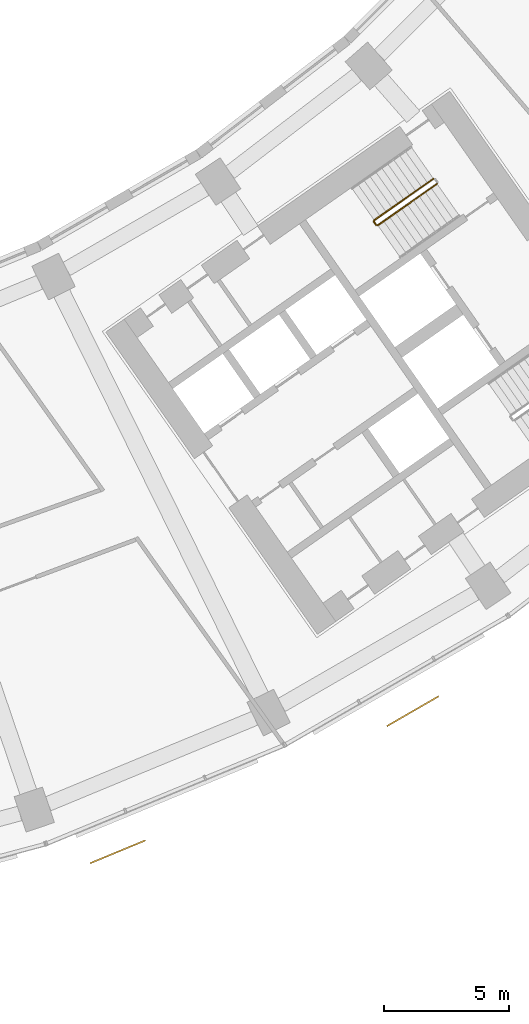
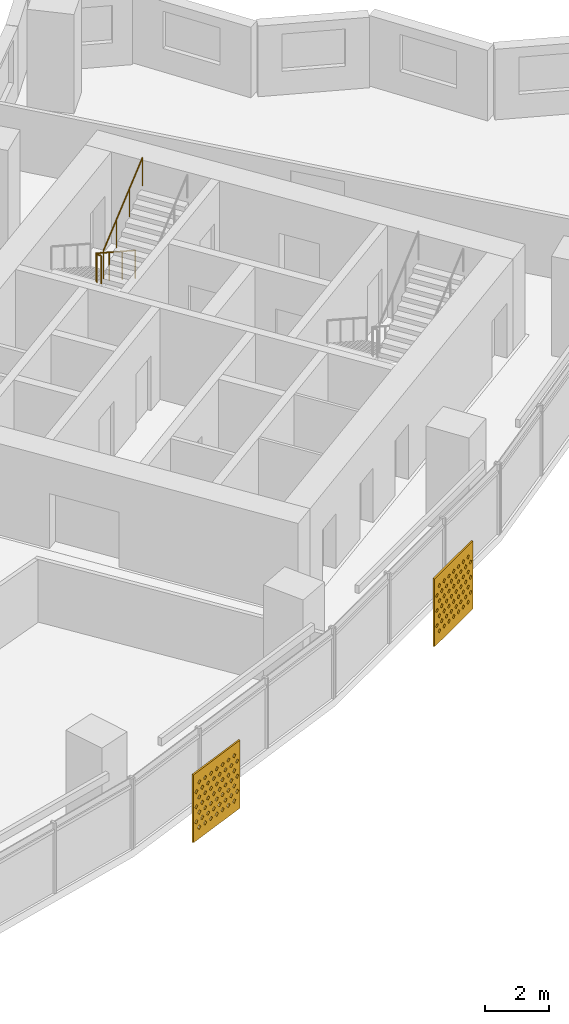
# One storey, part 28 of 29: 2 railings, 2 shading devices.
"""IFC4 building model written with IfcOpenShell, lengths in metres."""

from ifc_helpers import new_model, si_unit, direction, frame, origin, origin_2d, place, context, subcontext, project, spatial, polyline, circle, outline, extrude, material, material_profile, profile_set, type_object, element, save


model = new_model("IFC4")

# Units and contexts
model_context = context("Model", 3, precision=1e-05, world=origin(), true_north=direction((0.0, 1.0)))
body_context = subcontext(model_context, "Body", "Model", "MODEL_VIEW")
ifc_project = project(units=[si_unit("LENGTHUNIT", "METRE"), si_unit("AREAUNIT", "SQUARE_METRE"), si_unit("VOLUMEUNIT", "CUBIC_METRE"), si_unit("PLANEANGLEUNIT", "RADIAN"), si_unit("MASSUNIT", "GRAM", prefix="KILO")], contexts=[model_context])

# Site, building, storey
site_placement = place(None, origin())
site = spatial("IfcSite", under=ifc_project, at=site_placement, CompositionType="ELEMENT")
building_placement = place(site_placement, origin())
building = spatial("IfcBuilding", under=site, at=building_placement, Name="Qamariyya Broadcast Tower", CompositionType="ELEMENT")
storey_placement = place(building_placement, frame((0.0, 0.0, 106.300048828125)))
storey = spatial("IfcBuildingStorey", under=building, at=storey_placement, Name="L23", CompositionType="ELEMENT", Elevation=106.300048828125)

# Shading devices
ifc_material_1 = material(Name="Perforated glazed terracotta", Category="masonry")
ifc_material_profile = material_profile(ifc_material_1, outline(polyline([(-1.199951171875, -1.300048828125), (1.199951171875, -1.300048828125), (1.199951171875, 1.300048828125), (-1.199951171875, 1.300048828125), (-1.199951171875, -1.300048828125)]), holes=[polyline([(-0.81494140625, -0.86669921875), (-0.89990234375, -0.78173828125), (-0.985107421875, -0.86669921875), (-0.89990234375, -0.95166015625), (-0.81494140625, -0.86669921875)]), polyline([(-0.514892578125, -0.86669921875), (-0.60009765625, -0.78173828125), (-0.68505859375, -0.86669921875), (-0.60009765625, -0.95166015625), (-0.514892578125, -0.86669921875)]), polyline([(-0.215087890625, -0.86669921875), (-0.300048828125, -0.78173828125), (-0.385009765625, -0.86669921875), (-0.300048828125, -0.95166015625), (-0.215087890625, -0.86669921875)]), polyline([(0.0849609375, -0.86669921875), (0.0, -0.78173828125), (-0.0849609375, -0.86669921875), (0.0, -0.95166015625), (0.0849609375, -0.86669921875)]), polyline([(0.385009765625, -0.86669921875), (0.300048828125, -0.78173828125), (0.215087890625, -0.86669921875), (0.300048828125, -0.95166015625), (0.385009765625, -0.86669921875)]), polyline([(0.68505859375, -0.86669921875), (0.60009765625, -0.78173828125), (0.514892578125, -0.86669921875), (0.60009765625, -0.95166015625), (0.68505859375, -0.86669921875)]), polyline([(0.985107421875, -0.86669921875), (0.89990234375, -0.78173828125), (0.81494140625, -0.86669921875), (0.89990234375, -0.95166015625), (0.985107421875, -0.86669921875)]), polyline([(-0.965087890625, -0.577880859375), (-1.050048828125, -0.49267578125), (-1.135009765625, -0.577880859375), (-1.050048828125, -0.662841796875), (-0.965087890625, -0.577880859375)]), polyline([(-0.6650390625, -0.577880859375), (-0.75, -0.49267578125), (-0.8349609375, -0.577880859375), (-0.75, -0.662841796875), (-0.6650390625, -0.577880859375)]), polyline([(-0.364990234375, -0.577880859375), (-0.449951171875, -0.49267578125), (-0.534912109375, -0.577880859375), (-0.449951171875, -0.662841796875), (-0.364990234375, -0.577880859375)]), polyline([(-0.06494140625, -0.577880859375), (-0.14990234375, -0.49267578125), (-0.235107421875, -0.577880859375), (-0.14990234375, -0.662841796875), (-0.06494140625, -0.577880859375)]), polyline([(0.235107421875, -0.577880859375), (0.14990234375, -0.49267578125), (0.06494140625, -0.577880859375), (0.14990234375, -0.662841796875), (0.235107421875, -0.577880859375)]), polyline([(0.534912109375, -0.577880859375), (0.449951171875, -0.49267578125), (0.364990234375, -0.577880859375), (0.449951171875, -0.662841796875), (0.534912109375, -0.577880859375)]), polyline([(0.8349609375, -0.577880859375), (0.75, -0.49267578125), (0.6650390625, -0.577880859375), (0.75, -0.662841796875), (0.8349609375, -0.577880859375)]), polyline([(1.135009765625, -0.577880859375), (1.050048828125, -0.49267578125), (0.965087890625, -0.577880859375), (1.050048828125, -0.662841796875), (1.135009765625, -0.577880859375)]), polyline([(-0.81494140625, -0.288818359375), (-0.89990234375, -0.203857421875), (-0.985107421875, -0.288818359375), (-0.89990234375, -0.373779296875), (-0.81494140625, -0.288818359375)]), polyline([(-0.514892578125, -0.288818359375), (-0.60009765625, -0.203857421875), (-0.68505859375, -0.288818359375), (-0.60009765625, -0.373779296875), (-0.514892578125, -0.288818359375)]), polyline([(-0.215087890625, -0.288818359375), (-0.300048828125, -0.203857421875), (-0.385009765625, -0.288818359375), (-0.300048828125, -0.373779296875), (-0.215087890625, -0.288818359375)]), polyline([(0.0849609375, -0.288818359375), (0.0, -0.203857421875), (-0.0849609375, -0.288818359375), (0.0, -0.373779296875), (0.0849609375, -0.288818359375)]), polyline([(0.385009765625, -0.288818359375), (0.300048828125, -0.203857421875), (0.215087890625, -0.288818359375), (0.300048828125, -0.373779296875), (0.385009765625, -0.288818359375)]), polyline([(0.68505859375, -0.288818359375), (0.60009765625, -0.203857421875), (0.514892578125, -0.288818359375), (0.60009765625, -0.373779296875), (0.68505859375, -0.288818359375)]), polyline([(0.985107421875, -0.288818359375), (0.89990234375, -0.203857421875), (0.81494140625, -0.288818359375), (0.89990234375, -0.373779296875), (0.985107421875, -0.288818359375)]), polyline([(-0.965087890625, 0.0), (-1.050048828125, 0.0849609375), (-1.135009765625, 0.0), (-1.050048828125, -0.0849609375), (-0.965087890625, 0.0)]), polyline([(-0.6650390625, 0.0), (-0.75, 0.0849609375), (-0.8349609375, 0.0), (-0.75, -0.0849609375), (-0.6650390625, 0.0)]), polyline([(-0.364990234375, 0.0), (-0.449951171875, 0.0849609375), (-0.534912109375, 0.0), (-0.449951171875, -0.0849609375), (-0.364990234375, 0.0)]), polyline([(-0.06494140625, 0.0), (-0.14990234375, 0.0849609375), (-0.235107421875, 0.0), (-0.14990234375, -0.0849609375), (-0.06494140625, 0.0)]), polyline([(0.235107421875, 0.0), (0.14990234375, 0.0849609375), (0.06494140625, 0.0), (0.14990234375, -0.0849609375), (0.235107421875, 0.0)]), polyline([(0.534912109375, 0.0), (0.449951171875, 0.0849609375), (0.364990234375, 0.0), (0.449951171875, -0.0849609375), (0.534912109375, 0.0)]), polyline([(0.8349609375, 0.0), (0.75, 0.0849609375), (0.6650390625, 0.0), (0.75, -0.0849609375), (0.8349609375, 0.0)]), polyline([(1.135009765625, 0.0), (1.050048828125, 0.0849609375), (0.965087890625, 0.0), (1.050048828125, -0.0849609375), (1.135009765625, 0.0)]), polyline([(-0.81494140625, 0.288818359375), (-0.89990234375, 0.373779296875), (-0.985107421875, 0.288818359375), (-0.89990234375, 0.203857421875), (-0.81494140625, 0.288818359375)]), polyline([(-0.514892578125, 0.288818359375), (-0.60009765625, 0.373779296875), (-0.68505859375, 0.288818359375), (-0.60009765625, 0.203857421875), (-0.514892578125, 0.288818359375)]), polyline([(-0.215087890625, 0.288818359375), (-0.300048828125, 0.373779296875), (-0.385009765625, 0.288818359375), (-0.300048828125, 0.203857421875), (-0.215087890625, 0.288818359375)]), polyline([(0.0849609375, 0.288818359375), (0.0, 0.373779296875), (-0.0849609375, 0.288818359375), (0.0, 0.203857421875), (0.0849609375, 0.288818359375)]), polyline([(0.385009765625, 0.288818359375), (0.300048828125, 0.373779296875), (0.215087890625, 0.288818359375), (0.300048828125, 0.203857421875), (0.385009765625, 0.288818359375)]), polyline([(0.68505859375, 0.288818359375), (0.60009765625, 0.373779296875), (0.514892578125, 0.288818359375), (0.60009765625, 0.203857421875), (0.68505859375, 0.288818359375)]), polyline([(0.985107421875, 0.288818359375), (0.89990234375, 0.373779296875), (0.81494140625, 0.288818359375), (0.89990234375, 0.203857421875), (0.985107421875, 0.288818359375)]), polyline([(-0.965087890625, 0.577880859375), (-1.050048828125, 0.662841796875), (-1.135009765625, 0.577880859375), (-1.050048828125, 0.49267578125), (-0.965087890625, 0.577880859375)]), polyline([(-0.6650390625, 0.577880859375), (-0.75, 0.662841796875), (-0.8349609375, 0.577880859375), (-0.75, 0.49267578125), (-0.6650390625, 0.577880859375)]), polyline([(-0.364990234375, 0.577880859375), (-0.449951171875, 0.662841796875), (-0.534912109375, 0.577880859375), (-0.449951171875, 0.49267578125), (-0.364990234375, 0.577880859375)]), polyline([(-0.06494140625, 0.577880859375), (-0.14990234375, 0.662841796875), (-0.235107421875, 0.577880859375), (-0.14990234375, 0.49267578125), (-0.06494140625, 0.577880859375)]), polyline([(0.235107421875, 0.577880859375), (0.14990234375, 0.662841796875), (0.06494140625, 0.577880859375), (0.14990234375, 0.49267578125), (0.235107421875, 0.577880859375)]), polyline([(0.534912109375, 0.577880859375), (0.449951171875, 0.662841796875), (0.364990234375, 0.577880859375), (0.449951171875, 0.49267578125), (0.534912109375, 0.577880859375)]), polyline([(0.8349609375, 0.577880859375), (0.75, 0.662841796875), (0.6650390625, 0.577880859375), (0.75, 0.49267578125), (0.8349609375, 0.577880859375)]), polyline([(1.135009765625, 0.577880859375), (1.050048828125, 0.662841796875), (0.965087890625, 0.577880859375), (1.050048828125, 0.49267578125), (1.135009765625, 0.577880859375)]), polyline([(-0.81494140625, 0.86669921875), (-0.89990234375, 0.95166015625), (-0.985107421875, 0.86669921875), (-0.89990234375, 0.78173828125), (-0.81494140625, 0.86669921875)]), polyline([(-0.514892578125, 0.86669921875), (-0.60009765625, 0.95166015625), (-0.68505859375, 0.86669921875), (-0.60009765625, 0.78173828125), (-0.514892578125, 0.86669921875)]), polyline([(-0.215087890625, 0.86669921875), (-0.300048828125, 0.95166015625), (-0.385009765625, 0.86669921875), (-0.300048828125, 0.78173828125), (-0.215087890625, 0.86669921875)]), polyline([(0.0849609375, 0.86669921875), (0.0, 0.95166015625), (-0.0849609375, 0.86669921875), (0.0, 0.78173828125), (0.0849609375, 0.86669921875)]), polyline([(0.385009765625, 0.86669921875), (0.300048828125, 0.95166015625), (0.215087890625, 0.86669921875), (0.300048828125, 0.78173828125), (0.385009765625, 0.86669921875)]), polyline([(0.68505859375, 0.86669921875), (0.60009765625, 0.95166015625), (0.514892578125, 0.86669921875), (0.60009765625, 0.78173828125), (0.68505859375, 0.86669921875)]), polyline([(0.985107421875, 0.86669921875), (0.89990234375, 0.95166015625), (0.81494140625, 0.86669921875), (0.89990234375, 0.78173828125), (0.985107421875, 0.86669921875)])]))
ifc_profile_set = profile_set([ifc_material_profile], Name="Perforated glazed terracotta")
shading_device_type = type_object("IfcShadingDeviceType", Name="Perforated terracotta screen 2400 x 2600", PredefinedType="USERDEFINED", material=ifc_profile_set)
shading_device_1_placement = place(storey_placement, frame((28.328857421875, -75.290283203125, 1.349853515625), z_axis=(0.382591441855, -0.923917630863, 0.0), x_axis=(0.923917630863, 0.382591441855, 0.0)))
element("IfcShadingDevice", 1, at=shading_device_1_placement, inside=storey, type_object=shading_device_type, Name="e-scr-L23-12-0", ObjectType="SCREEN", PredefinedType="USERDEFINED", context=body_context, shape_type="SweptSolid", body=[
    extrude(outline(polyline([(-1.199951171875, -1.300048828125), (1.199951171875, -1.300048828125), (1.199951171875, 1.300048828125), (-1.199951171875, 1.300048828125), (-1.199951171875, -1.300048828125)]), holes=[polyline([(-0.81494140625, -0.86669921875), (-0.89990234375, -0.78173828125), (-0.985107421875, -0.86669921875), (-0.89990234375, -0.95166015625), (-0.81494140625, -0.86669921875)]), polyline([(-0.514892578125, -0.86669921875), (-0.60009765625, -0.78173828125), (-0.68505859375, -0.86669921875), (-0.60009765625, -0.95166015625), (-0.514892578125, -0.86669921875)]), polyline([(-0.215087890625, -0.86669921875), (-0.300048828125, -0.78173828125), (-0.385009765625, -0.86669921875), (-0.300048828125, -0.95166015625), (-0.215087890625, -0.86669921875)]), polyline([(0.0849609375, -0.86669921875), (0.0, -0.78173828125), (-0.0849609375, -0.86669921875), (0.0, -0.95166015625), (0.0849609375, -0.86669921875)]), polyline([(0.385009765625, -0.86669921875), (0.300048828125, -0.78173828125), (0.215087890625, -0.86669921875), (0.300048828125, -0.95166015625), (0.385009765625, -0.86669921875)]), polyline([(0.68505859375, -0.86669921875), (0.60009765625, -0.78173828125), (0.514892578125, -0.86669921875), (0.60009765625, -0.95166015625), (0.68505859375, -0.86669921875)]), polyline([(0.985107421875, -0.86669921875), (0.89990234375, -0.78173828125), (0.81494140625, -0.86669921875), (0.89990234375, -0.95166015625), (0.985107421875, -0.86669921875)]), polyline([(-0.965087890625, -0.577880859375), (-1.050048828125, -0.49267578125), (-1.135009765625, -0.577880859375), (-1.050048828125, -0.662841796875), (-0.965087890625, -0.577880859375)]), polyline([(-0.6650390625, -0.577880859375), (-0.75, -0.49267578125), (-0.8349609375, -0.577880859375), (-0.75, -0.662841796875), (-0.6650390625, -0.577880859375)]), polyline([(-0.364990234375, -0.577880859375), (-0.449951171875, -0.49267578125), (-0.534912109375, -0.577880859375), (-0.449951171875, -0.662841796875), (-0.364990234375, -0.577880859375)]), polyline([(-0.06494140625, -0.577880859375), (-0.14990234375, -0.49267578125), (-0.235107421875, -0.577880859375), (-0.14990234375, -0.662841796875), (-0.06494140625, -0.577880859375)]), polyline([(0.235107421875, -0.577880859375), (0.14990234375, -0.49267578125), (0.06494140625, -0.577880859375), (0.14990234375, -0.662841796875), (0.235107421875, -0.577880859375)]), polyline([(0.534912109375, -0.577880859375), (0.449951171875, -0.49267578125), (0.364990234375, -0.577880859375), (0.449951171875, -0.662841796875), (0.534912109375, -0.577880859375)]), polyline([(0.8349609375, -0.577880859375), (0.75, -0.49267578125), (0.6650390625, -0.577880859375), (0.75, -0.662841796875), (0.8349609375, -0.577880859375)]), polyline([(1.135009765625, -0.577880859375), (1.050048828125, -0.49267578125), (0.965087890625, -0.577880859375), (1.050048828125, -0.662841796875), (1.135009765625, -0.577880859375)]), polyline([(-0.81494140625, -0.288818359375), (-0.89990234375, -0.203857421875), (-0.985107421875, -0.288818359375), (-0.89990234375, -0.373779296875), (-0.81494140625, -0.288818359375)]), polyline([(-0.514892578125, -0.288818359375), (-0.60009765625, -0.203857421875), (-0.68505859375, -0.288818359375), (-0.60009765625, -0.373779296875), (-0.514892578125, -0.288818359375)]), polyline([(-0.215087890625, -0.288818359375), (-0.300048828125, -0.203857421875), (-0.385009765625, -0.288818359375), (-0.300048828125, -0.373779296875), (-0.215087890625, -0.288818359375)]), polyline([(0.0849609375, -0.288818359375), (0.0, -0.203857421875), (-0.0849609375, -0.288818359375), (0.0, -0.373779296875), (0.0849609375, -0.288818359375)]), polyline([(0.385009765625, -0.288818359375), (0.300048828125, -0.203857421875), (0.215087890625, -0.288818359375), (0.300048828125, -0.373779296875), (0.385009765625, -0.288818359375)]), polyline([(0.68505859375, -0.288818359375), (0.60009765625, -0.203857421875), (0.514892578125, -0.288818359375), (0.60009765625, -0.373779296875), (0.68505859375, -0.288818359375)]), polyline([(0.985107421875, -0.288818359375), (0.89990234375, -0.203857421875), (0.81494140625, -0.288818359375), (0.89990234375, -0.373779296875), (0.985107421875, -0.288818359375)]), polyline([(-0.965087890625, 0.0), (-1.050048828125, 0.0849609375), (-1.135009765625, 0.0), (-1.050048828125, -0.0849609375), (-0.965087890625, 0.0)]), polyline([(-0.6650390625, 0.0), (-0.75, 0.0849609375), (-0.8349609375, 0.0), (-0.75, -0.0849609375), (-0.6650390625, 0.0)]), polyline([(-0.364990234375, 0.0), (-0.449951171875, 0.0849609375), (-0.534912109375, 0.0), (-0.449951171875, -0.0849609375), (-0.364990234375, 0.0)]), polyline([(-0.06494140625, 0.0), (-0.14990234375, 0.0849609375), (-0.235107421875, 0.0), (-0.14990234375, -0.0849609375), (-0.06494140625, 0.0)]), polyline([(0.235107421875, 0.0), (0.14990234375, 0.0849609375), (0.06494140625, 0.0), (0.14990234375, -0.0849609375), (0.235107421875, 0.0)]), polyline([(0.534912109375, 0.0), (0.449951171875, 0.0849609375), (0.364990234375, 0.0), (0.449951171875, -0.0849609375), (0.534912109375, 0.0)]), polyline([(0.8349609375, 0.0), (0.75, 0.0849609375), (0.6650390625, 0.0), (0.75, -0.0849609375), (0.8349609375, 0.0)]), polyline([(1.135009765625, 0.0), (1.050048828125, 0.0849609375), (0.965087890625, 0.0), (1.050048828125, -0.0849609375), (1.135009765625, 0.0)]), polyline([(-0.81494140625, 0.288818359375), (-0.89990234375, 0.373779296875), (-0.985107421875, 0.288818359375), (-0.89990234375, 0.203857421875), (-0.81494140625, 0.288818359375)]), polyline([(-0.514892578125, 0.288818359375), (-0.60009765625, 0.373779296875), (-0.68505859375, 0.288818359375), (-0.60009765625, 0.203857421875), (-0.514892578125, 0.288818359375)]), polyline([(-0.215087890625, 0.288818359375), (-0.300048828125, 0.373779296875), (-0.385009765625, 0.288818359375), (-0.300048828125, 0.203857421875), (-0.215087890625, 0.288818359375)]), polyline([(0.0849609375, 0.288818359375), (0.0, 0.373779296875), (-0.0849609375, 0.288818359375), (0.0, 0.203857421875), (0.0849609375, 0.288818359375)]), polyline([(0.385009765625, 0.288818359375), (0.300048828125, 0.373779296875), (0.215087890625, 0.288818359375), (0.300048828125, 0.203857421875), (0.385009765625, 0.288818359375)]), polyline([(0.68505859375, 0.288818359375), (0.60009765625, 0.373779296875), (0.514892578125, 0.288818359375), (0.60009765625, 0.203857421875), (0.68505859375, 0.288818359375)]), polyline([(0.985107421875, 0.288818359375), (0.89990234375, 0.373779296875), (0.81494140625, 0.288818359375), (0.89990234375, 0.203857421875), (0.985107421875, 0.288818359375)]), polyline([(-0.965087890625, 0.577880859375), (-1.050048828125, 0.662841796875), (-1.135009765625, 0.577880859375), (-1.050048828125, 0.49267578125), (-0.965087890625, 0.577880859375)]), polyline([(-0.6650390625, 0.577880859375), (-0.75, 0.662841796875), (-0.8349609375, 0.577880859375), (-0.75, 0.49267578125), (-0.6650390625, 0.577880859375)]), polyline([(-0.364990234375, 0.577880859375), (-0.449951171875, 0.662841796875), (-0.534912109375, 0.577880859375), (-0.449951171875, 0.49267578125), (-0.364990234375, 0.577880859375)]), polyline([(-0.06494140625, 0.577880859375), (-0.14990234375, 0.662841796875), (-0.235107421875, 0.577880859375), (-0.14990234375, 0.49267578125), (-0.06494140625, 0.577880859375)]), polyline([(0.235107421875, 0.577880859375), (0.14990234375, 0.662841796875), (0.06494140625, 0.577880859375), (0.14990234375, 0.49267578125), (0.235107421875, 0.577880859375)]), polyline([(0.534912109375, 0.577880859375), (0.449951171875, 0.662841796875), (0.364990234375, 0.577880859375), (0.449951171875, 0.49267578125), (0.534912109375, 0.577880859375)]), polyline([(0.8349609375, 0.577880859375), (0.75, 0.662841796875), (0.6650390625, 0.577880859375), (0.75, 0.49267578125), (0.8349609375, 0.577880859375)]), polyline([(1.135009765625, 0.577880859375), (1.050048828125, 0.662841796875), (0.965087890625, 0.577880859375), (1.050048828125, 0.49267578125), (1.135009765625, 0.577880859375)]), polyline([(-0.81494140625, 0.86669921875), (-0.89990234375, 0.95166015625), (-0.985107421875, 0.86669921875), (-0.89990234375, 0.78173828125), (-0.81494140625, 0.86669921875)]), polyline([(-0.514892578125, 0.86669921875), (-0.60009765625, 0.95166015625), (-0.68505859375, 0.86669921875), (-0.60009765625, 0.78173828125), (-0.514892578125, 0.86669921875)]), polyline([(-0.215087890625, 0.86669921875), (-0.300048828125, 0.95166015625), (-0.385009765625, 0.86669921875), (-0.300048828125, 0.78173828125), (-0.215087890625, 0.86669921875)]), polyline([(0.0849609375, 0.86669921875), (0.0, 0.95166015625), (-0.0849609375, 0.86669921875), (0.0, 0.78173828125), (0.0849609375, 0.86669921875)]), polyline([(0.385009765625, 0.86669921875), (0.300048828125, 0.95166015625), (0.215087890625, 0.86669921875), (0.300048828125, 0.78173828125), (0.385009765625, 0.86669921875)]), polyline([(0.68505859375, 0.86669921875), (0.60009765625, 0.95166015625), (0.514892578125, 0.86669921875), (0.60009765625, 0.78173828125), (0.68505859375, 0.86669921875)]), polyline([(0.985107421875, 0.86669921875), (0.89990234375, 0.95166015625), (0.81494140625, 0.86669921875), (0.89990234375, 0.78173828125), (0.985107421875, 0.86669921875)])]), origin(), (0.0, 0.0, 1.0), 0.06005859375),
])
shading_device_2_placement = place(storey_placement, frame((40.15966796875, -69.65185546875, 1.349853515625), z_axis=(0.500074377092, -0.865982457891, 0.0), x_axis=(0.865982457891, 0.500074377092, 0.0)))
element("IfcShadingDevice", 2, at=shading_device_2_placement, inside=storey, type_object=shading_device_type, Name="e-scr-L23-13-1", ObjectType="SCREEN", PredefinedType="USERDEFINED", context=body_context, shape_type="SweptSolid", body=[
    extrude(outline(polyline([(-1.199951171875, -1.300048828125), (1.199951171875, -1.300048828125), (1.199951171875, 1.300048828125), (-1.199951171875, 1.300048828125), (-1.199951171875, -1.300048828125)]), holes=[polyline([(-0.81494140625, -0.86669921875), (-0.89990234375, -0.78173828125), (-0.985107421875, -0.86669921875), (-0.89990234375, -0.95166015625), (-0.81494140625, -0.86669921875)]), polyline([(-0.514892578125, -0.86669921875), (-0.60009765625, -0.78173828125), (-0.68505859375, -0.86669921875), (-0.60009765625, -0.95166015625), (-0.514892578125, -0.86669921875)]), polyline([(-0.215087890625, -0.86669921875), (-0.300048828125, -0.78173828125), (-0.385009765625, -0.86669921875), (-0.300048828125, -0.95166015625), (-0.215087890625, -0.86669921875)]), polyline([(0.0849609375, -0.86669921875), (0.0, -0.78173828125), (-0.0849609375, -0.86669921875), (0.0, -0.95166015625), (0.0849609375, -0.86669921875)]), polyline([(0.385009765625, -0.86669921875), (0.300048828125, -0.78173828125), (0.215087890625, -0.86669921875), (0.300048828125, -0.95166015625), (0.385009765625, -0.86669921875)]), polyline([(0.68505859375, -0.86669921875), (0.60009765625, -0.78173828125), (0.514892578125, -0.86669921875), (0.60009765625, -0.95166015625), (0.68505859375, -0.86669921875)]), polyline([(0.985107421875, -0.86669921875), (0.89990234375, -0.78173828125), (0.81494140625, -0.86669921875), (0.89990234375, -0.95166015625), (0.985107421875, -0.86669921875)]), polyline([(-0.965087890625, -0.577880859375), (-1.050048828125, -0.49267578125), (-1.135009765625, -0.577880859375), (-1.050048828125, -0.662841796875), (-0.965087890625, -0.577880859375)]), polyline([(-0.6650390625, -0.577880859375), (-0.75, -0.49267578125), (-0.8349609375, -0.577880859375), (-0.75, -0.662841796875), (-0.6650390625, -0.577880859375)]), polyline([(-0.364990234375, -0.577880859375), (-0.449951171875, -0.49267578125), (-0.534912109375, -0.577880859375), (-0.449951171875, -0.662841796875), (-0.364990234375, -0.577880859375)]), polyline([(-0.06494140625, -0.577880859375), (-0.14990234375, -0.49267578125), (-0.235107421875, -0.577880859375), (-0.14990234375, -0.662841796875), (-0.06494140625, -0.577880859375)]), polyline([(0.235107421875, -0.577880859375), (0.14990234375, -0.49267578125), (0.06494140625, -0.577880859375), (0.14990234375, -0.662841796875), (0.235107421875, -0.577880859375)]), polyline([(0.534912109375, -0.577880859375), (0.449951171875, -0.49267578125), (0.364990234375, -0.577880859375), (0.449951171875, -0.662841796875), (0.534912109375, -0.577880859375)]), polyline([(0.8349609375, -0.577880859375), (0.75, -0.49267578125), (0.6650390625, -0.577880859375), (0.75, -0.662841796875), (0.8349609375, -0.577880859375)]), polyline([(1.135009765625, -0.577880859375), (1.050048828125, -0.49267578125), (0.965087890625, -0.577880859375), (1.050048828125, -0.662841796875), (1.135009765625, -0.577880859375)]), polyline([(-0.81494140625, -0.288818359375), (-0.89990234375, -0.203857421875), (-0.985107421875, -0.288818359375), (-0.89990234375, -0.373779296875), (-0.81494140625, -0.288818359375)]), polyline([(-0.514892578125, -0.288818359375), (-0.60009765625, -0.203857421875), (-0.68505859375, -0.288818359375), (-0.60009765625, -0.373779296875), (-0.514892578125, -0.288818359375)]), polyline([(-0.215087890625, -0.288818359375), (-0.300048828125, -0.203857421875), (-0.385009765625, -0.288818359375), (-0.300048828125, -0.373779296875), (-0.215087890625, -0.288818359375)]), polyline([(0.0849609375, -0.288818359375), (0.0, -0.203857421875), (-0.0849609375, -0.288818359375), (0.0, -0.373779296875), (0.0849609375, -0.288818359375)]), polyline([(0.385009765625, -0.288818359375), (0.300048828125, -0.203857421875), (0.215087890625, -0.288818359375), (0.300048828125, -0.373779296875), (0.385009765625, -0.288818359375)]), polyline([(0.68505859375, -0.288818359375), (0.60009765625, -0.203857421875), (0.514892578125, -0.288818359375), (0.60009765625, -0.373779296875), (0.68505859375, -0.288818359375)]), polyline([(0.985107421875, -0.288818359375), (0.89990234375, -0.203857421875), (0.81494140625, -0.288818359375), (0.89990234375, -0.373779296875), (0.985107421875, -0.288818359375)]), polyline([(-0.965087890625, 0.0), (-1.050048828125, 0.0849609375), (-1.135009765625, 0.0), (-1.050048828125, -0.0849609375), (-0.965087890625, 0.0)]), polyline([(-0.6650390625, 0.0), (-0.75, 0.0849609375), (-0.8349609375, 0.0), (-0.75, -0.0849609375), (-0.6650390625, 0.0)]), polyline([(-0.364990234375, 0.0), (-0.449951171875, 0.0849609375), (-0.534912109375, 0.0), (-0.449951171875, -0.0849609375), (-0.364990234375, 0.0)]), polyline([(-0.06494140625, 0.0), (-0.14990234375, 0.0849609375), (-0.235107421875, 0.0), (-0.14990234375, -0.0849609375), (-0.06494140625, 0.0)]), polyline([(0.235107421875, 0.0), (0.14990234375, 0.0849609375), (0.06494140625, 0.0), (0.14990234375, -0.0849609375), (0.235107421875, 0.0)]), polyline([(0.534912109375, 0.0), (0.449951171875, 0.0849609375), (0.364990234375, 0.0), (0.449951171875, -0.0849609375), (0.534912109375, 0.0)]), polyline([(0.8349609375, 0.0), (0.75, 0.0849609375), (0.6650390625, 0.0), (0.75, -0.0849609375), (0.8349609375, 0.0)]), polyline([(1.135009765625, 0.0), (1.050048828125, 0.0849609375), (0.965087890625, 0.0), (1.050048828125, -0.0849609375), (1.135009765625, 0.0)]), polyline([(-0.81494140625, 0.288818359375), (-0.89990234375, 0.373779296875), (-0.985107421875, 0.288818359375), (-0.89990234375, 0.203857421875), (-0.81494140625, 0.288818359375)]), polyline([(-0.514892578125, 0.288818359375), (-0.60009765625, 0.373779296875), (-0.68505859375, 0.288818359375), (-0.60009765625, 0.203857421875), (-0.514892578125, 0.288818359375)]), polyline([(-0.215087890625, 0.288818359375), (-0.300048828125, 0.373779296875), (-0.385009765625, 0.288818359375), (-0.300048828125, 0.203857421875), (-0.215087890625, 0.288818359375)]), polyline([(0.0849609375, 0.288818359375), (0.0, 0.373779296875), (-0.0849609375, 0.288818359375), (0.0, 0.203857421875), (0.0849609375, 0.288818359375)]), polyline([(0.385009765625, 0.288818359375), (0.300048828125, 0.373779296875), (0.215087890625, 0.288818359375), (0.300048828125, 0.203857421875), (0.385009765625, 0.288818359375)]), polyline([(0.68505859375, 0.288818359375), (0.60009765625, 0.373779296875), (0.514892578125, 0.288818359375), (0.60009765625, 0.203857421875), (0.68505859375, 0.288818359375)]), polyline([(0.985107421875, 0.288818359375), (0.89990234375, 0.373779296875), (0.81494140625, 0.288818359375), (0.89990234375, 0.203857421875), (0.985107421875, 0.288818359375)]), polyline([(-0.965087890625, 0.577880859375), (-1.050048828125, 0.662841796875), (-1.135009765625, 0.577880859375), (-1.050048828125, 0.49267578125), (-0.965087890625, 0.577880859375)]), polyline([(-0.6650390625, 0.577880859375), (-0.75, 0.662841796875), (-0.8349609375, 0.577880859375), (-0.75, 0.49267578125), (-0.6650390625, 0.577880859375)]), polyline([(-0.364990234375, 0.577880859375), (-0.449951171875, 0.662841796875), (-0.534912109375, 0.577880859375), (-0.449951171875, 0.49267578125), (-0.364990234375, 0.577880859375)]), polyline([(-0.06494140625, 0.577880859375), (-0.14990234375, 0.662841796875), (-0.235107421875, 0.577880859375), (-0.14990234375, 0.49267578125), (-0.06494140625, 0.577880859375)]), polyline([(0.235107421875, 0.577880859375), (0.14990234375, 0.662841796875), (0.06494140625, 0.577880859375), (0.14990234375, 0.49267578125), (0.235107421875, 0.577880859375)]), polyline([(0.534912109375, 0.577880859375), (0.449951171875, 0.662841796875), (0.364990234375, 0.577880859375), (0.449951171875, 0.49267578125), (0.534912109375, 0.577880859375)]), polyline([(0.8349609375, 0.577880859375), (0.75, 0.662841796875), (0.6650390625, 0.577880859375), (0.75, 0.49267578125), (0.8349609375, 0.577880859375)]), polyline([(1.135009765625, 0.577880859375), (1.050048828125, 0.662841796875), (0.965087890625, 0.577880859375), (1.050048828125, 0.49267578125), (1.135009765625, 0.577880859375)]), polyline([(-0.81494140625, 0.86669921875), (-0.89990234375, 0.95166015625), (-0.985107421875, 0.86669921875), (-0.89990234375, 0.78173828125), (-0.81494140625, 0.86669921875)]), polyline([(-0.514892578125, 0.86669921875), (-0.60009765625, 0.95166015625), (-0.68505859375, 0.86669921875), (-0.60009765625, 0.78173828125), (-0.514892578125, 0.86669921875)]), polyline([(-0.215087890625, 0.86669921875), (-0.300048828125, 0.95166015625), (-0.385009765625, 0.86669921875), (-0.300048828125, 0.78173828125), (-0.215087890625, 0.86669921875)]), polyline([(0.0849609375, 0.86669921875), (0.0, 0.95166015625), (-0.0849609375, 0.86669921875), (0.0, 0.78173828125), (0.0849609375, 0.86669921875)]), polyline([(0.385009765625, 0.86669921875), (0.300048828125, 0.95166015625), (0.215087890625, 0.86669921875), (0.300048828125, 0.78173828125), (0.385009765625, 0.86669921875)]), polyline([(0.68505859375, 0.86669921875), (0.60009765625, 0.95166015625), (0.514892578125, 0.86669921875), (0.60009765625, 0.78173828125), (0.68505859375, 0.86669921875)]), polyline([(0.985107421875, 0.86669921875), (0.89990234375, 0.95166015625), (0.81494140625, 0.86669921875), (0.89990234375, 0.78173828125), (0.985107421875, 0.86669921875)])]), origin(), (0.0, 0.0, 1.0), 0.06005859375),
])

# Railings
ifc_material_2 = material(Name="Painted steel", Category="steel")
railing_type = type_object("IfcRailingType", Name="Stair guard", PredefinedType="GUARDRAIL", material=ifc_material_2)
railing_1_placement = place(storey_placement, frame((41.003173828125, -48.320068359375, 0.172607421875)))
element("IfcRailing", 3, at=railing_1_placement, inside=storey, type_object=railing_type, Name="L23 ST-E2 stair guard 1", PredefinedType="GUARDRAIL", context=body_context, shape_type="SweptSolid", body=[
    extrude(circle(Radius=0.02392578125, at=origin_2d()), frame((0.0, 0.0, 1.076171875), z_axis=(-0.703770094002, -0.492783725636, 0.511734163933), x_axis=(0.573575343427, -0.819152809562, 0.0)), (0.0, 0.0, 1.0), 3.37548828125),
    extrude(circle(Radius=0.02392578125, at=origin_2d()), frame((-2.37548828125, -1.663330078125, 2.80322265625), z_axis=(-0.172799478008, -0.984957024646, 0.0), x_axis=(0.984957024646, -0.172799478008, 0.0)), (0.0, 0.0, 1.0), 0.070556640625),
    extrude(circle(Radius=0.02392578125, at=origin_2d()), frame((-2.3876953125, -1.73291015625, 2.80322265625), z_axis=(0.572588637393, -0.819842821722, 0.0), x_axis=(0.819842821722, 0.572588637393, 0.0)), (0.0, 0.0, 1.0), 0.150146484375),
    extrude(circle(Radius=0.02099609375, at=origin_2d()), origin(), (0.0, 0.0, 1.0), 1.052001953125),
    extrude(circle(Radius=0.02099609375, at=origin_2d()), frame((-0.791748046875, -0.554443359375, 0.57568359375)), (0.0, 0.0, 1.0), 1.052001953125),
    extrude(circle(Radius=0.02099609375, at=origin_2d()), frame((-1.583740234375, -1.10888671875, 1.151611328125)), (0.0, 0.0, 1.0), 1.052001953125),
    extrude(circle(Radius=0.02099609375, at=origin_2d()), frame((-2.37548828125, -1.663330078125, 1.727294921875)), (0.0, 0.0, 1.0), 1.052001953125),
    extrude(circle(Radius=0.02099609375, at=origin_2d()), frame((-2.3876953125, -1.73291015625, 1.727294921875)), (0.0, 0.0, 1.0), 1.052001953125),
    extrude(circle(Radius=0.02099609375, at=origin_2d()), frame((-2.3017578125, -1.85595703125, 1.727294921875)), (0.0, 0.0, 1.0), 1.052001953125),
])
railing_2_placement = place(storey_placement, frame((38.771240234375, -50.188232421875, 2.07275390625)))
element("IfcRailing", 4, at=railing_2_placement, inside=storey, type_object=railing_type, Name="L23 ST-E2 stair guard 2", PredefinedType="GUARDRAIL", context=body_context, shape_type="SweptSolid", body=[
    extrude(circle(Radius=0.02392578125, at=origin_2d()), frame((0.0, 0.0, 1.076171875), z_axis=(0.703770094002, 0.492783725636, 0.511734163933), x_axis=(-0.573575343427, 0.819152809562, 0.0)), (0.0, 0.0, 1.0), 3.37548828125),
    extrude(circle(Radius=0.02099609375, at=origin_2d()), origin(), (0.0, 0.0, 1.0), 1.052001953125),
    extrude(circle(Radius=0.02099609375, at=origin_2d()), frame((0.791748046875, 0.554443359375, 0.57568359375)), (0.0, 0.0, 1.0), 1.052001953125),
    extrude(circle(Radius=0.02099609375, at=origin_2d()), frame((1.583740234375, 1.10888671875, 1.151611328125)), (0.0, 0.0, 1.0), 1.052001953125),
    extrude(circle(Radius=0.02099609375, at=origin_2d()), frame((2.37548828125, 1.663330078125, 1.727294921875)), (0.0, 0.0, 1.0), 1.052001953125),
])

save(model, "model.ifc")
